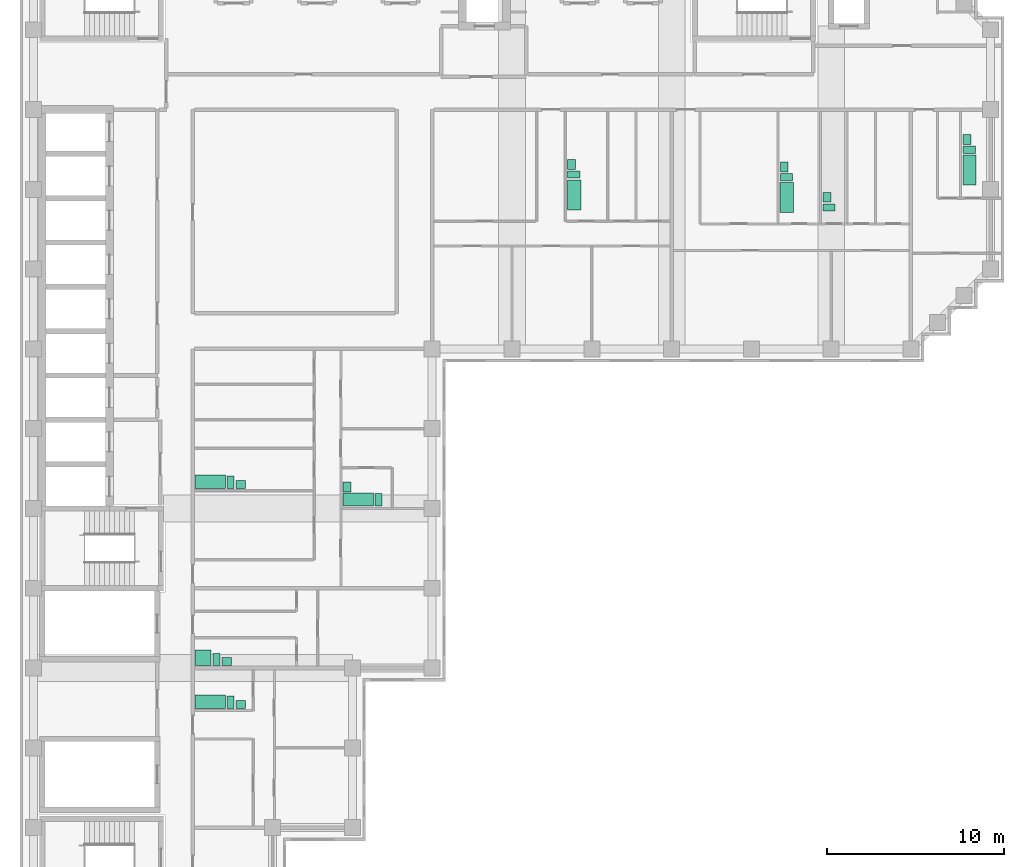
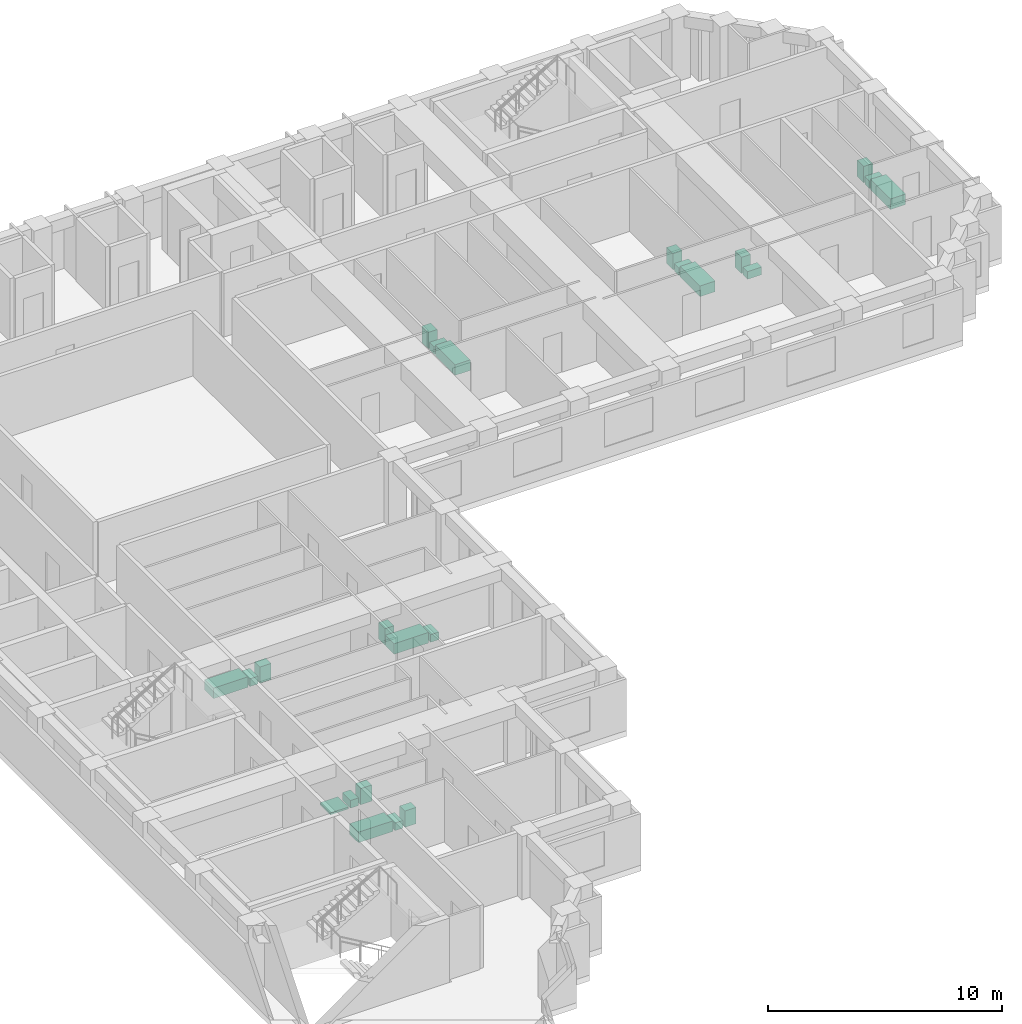
# One storey, part 10 of 10: 23 sanitary terminals.
"""IFC4 building model written with IfcOpenShell, lengths in metres."""

from ifc_helpers import new_model, si_unit, direction, frame, origin, origin_2d, place, context, subcontext, project, spatial, rectangle, extrude, material, type_object, element, save


model = new_model("IFC4")

# Units and contexts
model_context = context("Model", 3, precision=1e-05, world=origin(), true_north=direction((0.0, 1.0)))
body_context = subcontext(model_context, "Body", "Model", "MODEL_VIEW")
ifc_project = project(units=[si_unit("LENGTHUNIT", "METRE"), si_unit("AREAUNIT", "SQUARE_METRE"), si_unit("VOLUMEUNIT", "CUBIC_METRE"), si_unit("PLANEANGLEUNIT", "RADIAN"), si_unit("MASSUNIT", "GRAM", prefix="KILO")], contexts=[model_context])

# Site, building, storey
site_placement = place(None, origin())
site = spatial("IfcSite", under=ifc_project, at=site_placement, CompositionType="ELEMENT")
building_placement = place(site_placement, origin())
building = spatial("IfcBuilding", under=site, at=building_placement, Name="Firuza Court", CompositionType="ELEMENT")
storey_placement = place(building_placement, frame((0.0, 0.0, 189.800048828125)))
storey = spatial("IfcBuildingStorey", under=building, at=storey_placement, Name="L48", CompositionType="ELEMENT", Elevation=189.800048828125)

# Sanitary terminals
ifc_material_1 = material(Name="Vitreous china", Category="ceramic")
sanitary_terminal_type_1 = type_object("IfcSanitaryTerminalType", Name="Fixture Bath", PredefinedType="BATH", material=ifc_material_1)
for number, where, z_axis, x_axis, name in (
    (1, (30.5048828125, 44.679931640625, 0.0), (0.0, 0.0, 1.0), (1.0, 0.0, 0.0), "Bath"),
    (2, (42.5048828125, 44.530029296875, 0.0), (0.0, 0.0, 1.0), (1.0, 0.0, 0.0), "Bath"),
    (3, (52.804931640625, 46.080078125, 0.0), (0.0, 0.0, 1.0), (1.0, 0.0, 0.0), "Bath"),
):
    element("IfcSanitaryTerminal", number, at=place(storey_placement, frame(where, z_axis=z_axis, x_axis=x_axis)), inside=storey, type_object=sanitary_terminal_type_1, Name=name, PredefinedType="BATH", context=body_context, shape_type="SweptSolid", body=[
        extrude(rectangle(XDim=0.75, YDim=1.699951171875, at=origin_2d()), origin(), (0.0, 0.0, 1.0), 0.550048828125),
    ])
for number, where, z_axis, x_axis, name in (
    (4, (9.97998046875, 28.5048828125, 0.0), (0.0, 0.0, 1.0), (1.0, 0.0, 0.0), "Bath"),
    (5, (18.330078125, 27.5048828125, 0.0), (0.0, 0.0, 1.0), (1.0, 0.0, 0.0), "Bath"),
    (6, (9.97998046875, 16.10498046875, 0.0), (0.0, 0.0, 1.0), (1.0, 0.0, 0.0), "Bath"),
):
    element("IfcSanitaryTerminal", number, at=place(storey_placement, frame(where, z_axis=z_axis, x_axis=x_axis)), inside=storey, type_object=sanitary_terminal_type_1, Name=name, PredefinedType="BATH", context=body_context, shape_type="SweptSolid", body=[
        extrude(rectangle(XDim=1.699951171875, YDim=0.75, at=origin_2d()), origin(), (0.0, 0.0, 1.0), 0.550048828125),
    ])
ifc_material_2 = material(Name="Vitreous china", Category="ceramic")
sanitary_terminal_type_2 = type_object("IfcSanitaryTerminalType", Name="Fixture Shower tray", PredefinedType="SHOWER", material=ifc_material_2)
sanitary_terminal_1_placement = place(storey_placement, frame((9.580078125, 18.580078125, 0.0), z_axis=(0.0, 0.0, 1.0), x_axis=(1.0, 0.0, 0.0)))
element("IfcSanitaryTerminal", 7, at=sanitary_terminal_1_placement, inside=storey, type_object=sanitary_terminal_type_2, Name="Shower tray", PredefinedType="SHOWER", context=body_context, shape_type="SweptSolid", body=[
    extrude(rectangle(XDim=0.89990234375, YDim=0.89990234375, at=origin_2d()), origin(), (0.0, 0.0, 1.0), 0.10009765625),
])
ifc_material_3 = material(Name="Vitreous china", Category="ceramic")
sanitary_terminal_type_3 = type_object("IfcSanitaryTerminalType", Name="Fixture WC pan", PredefinedType="TOILETPAN", material=ifc_material_3)
for number, where, z_axis, x_axis, name in (
    (8, (30.47998046875, 45.830078125, 0.0), (0.0, 0.0, 1.0), (1.0, 0.0, 0.0), "WC pan"),
    (9, (42.47998046875, 45.679931640625, 0.0), (0.0, 0.0, 1.0), (1.0, 0.0, 0.0), "WC pan"),
    (10, (44.8798828125, 43.97998046875, 0.0), (0.0, 0.0, 1.0), (1.0, 0.0, 0.0), "WC pan"),
    (11, (52.780029296875, 47.22998046875, 0.0), (0.0, 0.0, 1.0), (1.0, 0.0, 0.0), "WC pan"),
):
    element("IfcSanitaryTerminal", number, at=place(storey_placement, frame(where, z_axis=z_axis, x_axis=x_axis)), inside=storey, type_object=sanitary_terminal_type_3, Name=name, PredefinedType="TOILETPAN", context=body_context, shape_type="SweptSolid", body=[
        extrude(rectangle(XDim=0.699951171875, YDim=0.39990234375, at=origin_2d()), origin(), (0.0, 0.0, 1.0), 0.39990234375),
    ])
for number, where, z_axis, x_axis, name in (
    (12, (11.1298828125, 28.47998046875, 0.0), (0.0, 0.0, 1.0), (1.0, 0.0, 0.0), "WC pan"),
    (13, (19.47998046875, 27.47998046875, 0.0), (0.0, 0.0, 1.0), (1.0, 0.0, 0.0), "WC pan"),
    (14, (10.330078125, 18.47998046875, 0.0), (0.0, 0.0, 1.0), (1.0, 0.0, 0.0), "WC pan"),
    (15, (11.1298828125, 16.080078125, 0.0), (0.0, 0.0, 1.0), (1.0, 0.0, 0.0), "WC pan"),
):
    element("IfcSanitaryTerminal", number, at=place(storey_placement, frame(where, z_axis=z_axis, x_axis=x_axis)), inside=storey, type_object=sanitary_terminal_type_3, Name=name, PredefinedType="TOILETPAN", context=body_context, shape_type="SweptSolid", body=[
        extrude(rectangle(XDim=0.39990234375, YDim=0.699951171875, at=origin_2d()), origin(), (0.0, 0.0, 1.0), 0.39990234375),
    ])
ifc_material_4 = material(Name="Vitreous china", Category="ceramic")
sanitary_terminal_type_4 = type_object("IfcSanitaryTerminalType", Name="Fixture Washbasin", PredefinedType="WASHHANDBASIN", material=ifc_material_4)
for number, where, z_axis, x_axis, name in (
    (16, (30.35498046875, 46.405029296875, 0.0), (0.0, 0.0, 1.0), (1.0, 0.0, 0.0), "Washbasin"),
    (17, (42.35498046875, 46.2548828125, 0.0), (0.0, 0.0, 1.0), (1.0, 0.0, 0.0), "Washbasin"),
    (18, (44.7548828125, 44.554931640625, 0.0), (0.0, 0.0, 1.0), (1.0, 0.0, 0.0), "Washbasin"),
    (19, (52.655029296875, 47.804931640625, 0.0), (0.0, 0.0, 1.0), (1.0, 0.0, 0.0), "Washbasin"),
):
    element("IfcSanitaryTerminal", number, at=place(storey_placement, frame(where, z_axis=z_axis, x_axis=x_axis)), inside=storey, type_object=sanitary_terminal_type_4, Name=name, PredefinedType="WASHHANDBASIN", context=body_context, shape_type="SweptSolid", body=[
        extrude(rectangle(XDim=0.449951171875, YDim=0.550048828125, at=origin_2d()), origin(), (0.0, 0.0, 1.0), 0.85009765625),
    ])
sanitary_terminal_2_placement = place(storey_placement, frame((11.705078125, 28.35498046875, 0.0), z_axis=(0.0, 0.0, 1.0), x_axis=(1.0, 0.0, 0.0)))
element("IfcSanitaryTerminal", 20, at=sanitary_terminal_2_placement, inside=storey, type_object=sanitary_terminal_type_4, Name="Washbasin", PredefinedType="WASHHANDBASIN", context=body_context, shape_type="SweptSolid", body=[
    extrude(rectangle(XDim=0.550048828125, YDim=0.449951171875, at=origin_2d()), origin(), (0.0, 0.0, 1.0), 0.85009765625),
])
sanitary_terminal_3_placement = place(storey_placement, frame((17.705078125, 28.205078125, 0.0), z_axis=(0.0, 0.0, 1.0), x_axis=(1.0, 0.0, 0.0)))
element("IfcSanitaryTerminal", 21, at=sanitary_terminal_3_placement, inside=storey, type_object=sanitary_terminal_type_4, Name="Washbasin", PredefinedType="WASHHANDBASIN", context=body_context, shape_type="SweptSolid", body=[
    extrude(rectangle(XDim=0.449951171875, YDim=0.550048828125, at=origin_2d()), origin(), (0.0, 0.0, 1.0), 0.85009765625),
])
for number, where, z_axis, x_axis, name in (
    (22, (10.905029296875, 18.35498046875, 0.0), (0.0, 0.0, 1.0), (1.0, 0.0, 0.0), "Washbasin"),
    (23, (11.705078125, 15.955078125, 0.0), (0.0, 0.0, 1.0), (1.0, 0.0, 0.0), "Washbasin"),
):
    element("IfcSanitaryTerminal", number, at=place(storey_placement, frame(where, z_axis=z_axis, x_axis=x_axis)), inside=storey, type_object=sanitary_terminal_type_4, Name=name, PredefinedType="WASHHANDBASIN", context=body_context, shape_type="SweptSolid", body=[
        extrude(rectangle(XDim=0.550048828125, YDim=0.449951171875, at=origin_2d()), origin(), (0.0, 0.0, 1.0), 0.85009765625),
    ])

save(model, "model.ifc")
